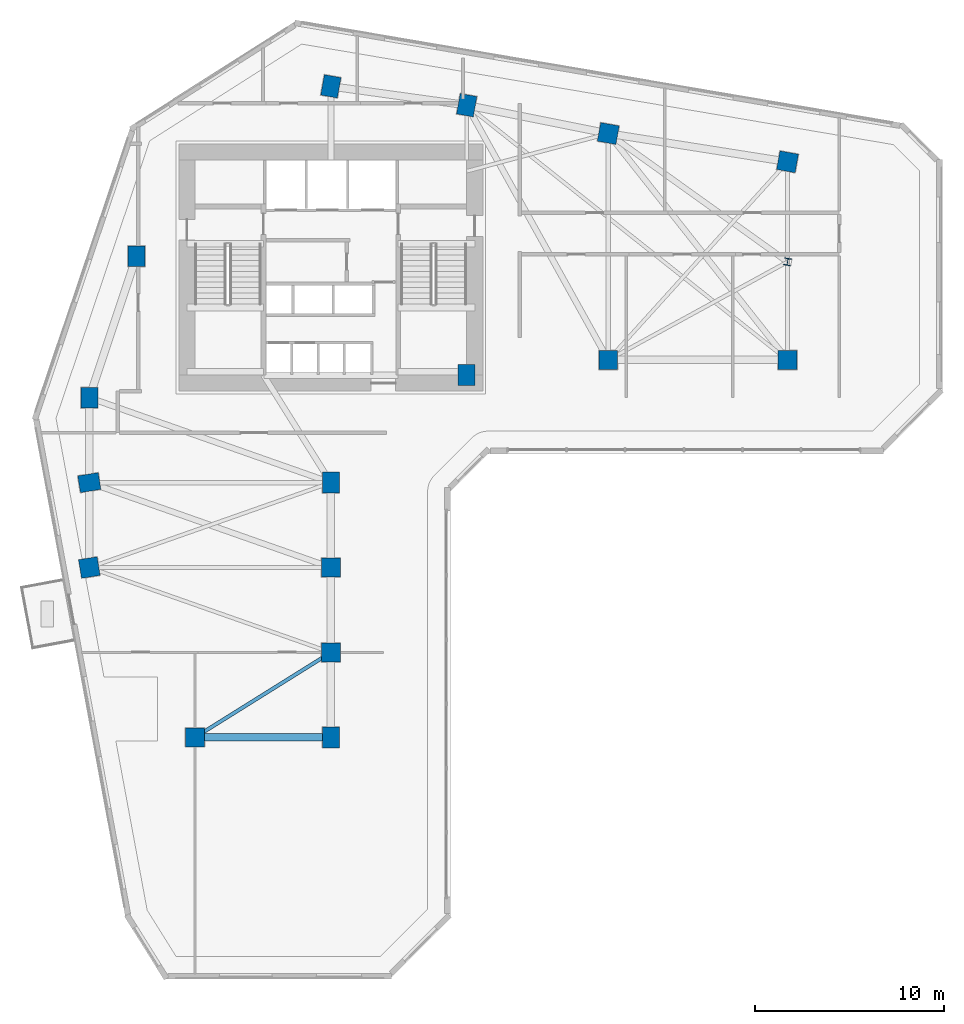
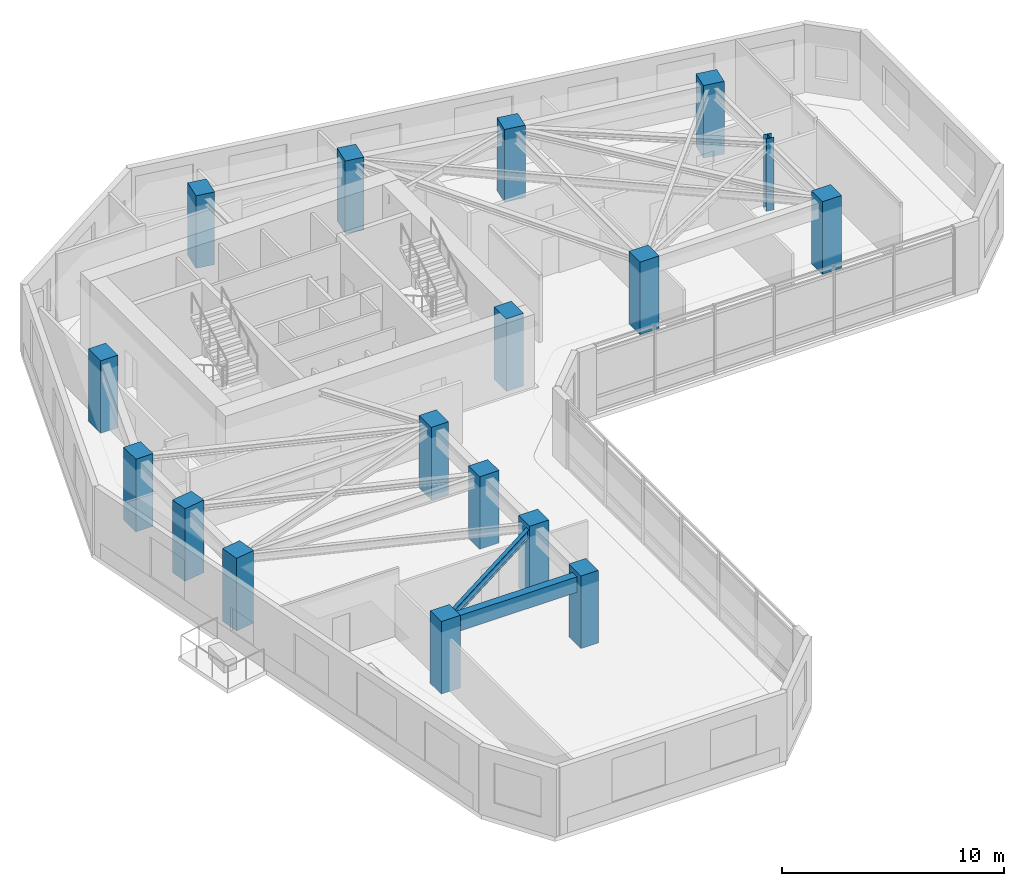
# One storey, part 1 of 9: 17 columns, 2 beams.
"""IFC4 building model written with IfcOpenShell, lengths in metres."""

from ifc_helpers import new_model, si_unit, direction, frame, origin, origin_2d, place, context, subcontext, project, spatial, rectangle, i_section, extrude, source, transform, mapped, material, material_profile, profile_set, type_object, element, save


model = new_model("IFC4")

# Units and contexts
model_context = context("Model", 3, precision=1e-05, world=origin(), true_north=direction((0.0, 1.0)))
body_context = subcontext(model_context, "Body", "Model", "MODEL_VIEW")
ifc_project = project(units=[si_unit("LENGTHUNIT", "METRE"), si_unit("AREAUNIT", "SQUARE_METRE"), si_unit("VOLUMEUNIT", "CUBIC_METRE"), si_unit("PLANEANGLEUNIT", "RADIAN"), si_unit("MASSUNIT", "GRAM", prefix="KILO")], contexts=[model_context])

# Site, building, storey
site_placement = place(None, origin())
site = spatial("IfcSite", under=ifc_project, at=site_placement, CompositionType="ELEMENT")
building_placement = place(site_placement, origin())
building = spatial("IfcBuilding", under=site, at=building_placement, Name="Calvemar Wedge Station Tower", CompositionType="ELEMENT")
storey_placement = place(building_placement, frame((0.0, 0.0, 67.0)))
storey = spatial("IfcBuildingStorey", under=building, at=storey_placement, Name="L16", CompositionType="ELEMENT", Elevation=67.0)

# Columns
ifc_material_1 = material(Name="Concrete C70", Category="concrete")
ifc_material_profile_1 = material_profile(ifc_material_1, rectangle(XDim=0.89990234375, YDim=1.10009765625, at=origin_2d()), Name="RC1100x900")
ifc_profile_set_1 = profile_set([ifc_material_profile_1], Name="Concrete C70")
column_type_1 = type_object("IfcColumnType", Name="COL-C3-1100x900", PredefinedType="COLUMN", material=ifc_profile_set_1)
shared_shape_1 = source(origin(), body_context, "Body", "SweptSolid", [
    extrude(rectangle(XDim=0.89990234375, YDim=1.10009765625, at=origin_2d()), origin(), (0.0, 0.0, 1.0), 4.0),
])
for number, where, z_axis, x_axis, name in (
    (1, (11.0, 33.0, 0.0), (0.0, 0.0, 1.0), (1.0, 0.0, 0.0), "Storey L16 Column T-NW1"),
    (2, (13.5, 40.5, 0.0), (0.0, 0.0, 1.0), (1.0, 0.0, 0.0), "Storey L16 Column T-NW2"),
    (3, (23.800048828125, 49.5, 0.0), (0.0, 0.0, 1.0), (0.984195607969, -0.17708474032, 0.0), "Storey L16 Column T-N1"),
    (4, (31.0, 48.5, 0.0), (0.0, 0.0, 1.0), (0.984195607969, -0.17708474032, 0.0), "Storey L16 Column T-N2"),
    (5, (31.0, 34.199951171875, 0.0), (0.0, 0.0, 1.0), (1.0, 0.0, 0.0), "Storey L16 Column T-NL1"),
    (6, (11.0, 28.5, 0.0), (0.0, 0.0, 1.0), (0.158158067254, -0.987413806751, 0.0), "Storey L16 Column T-SW1"),
    (7, (23.800048828125, 28.5, 0.0), (0.0, 0.0, 1.0), (1.0, 0.0, 0.0), "Storey L16 Column T-SE1"),
    (8, (23.800048828125, 15.0, 0.0), (0.0, 0.0, 1.0), (1.0, 0.0, 0.0), "Storey L16 Column T-SE4"),
):
    element("IfcColumn", number, at=place(storey_placement, frame(where, z_axis=z_axis, x_axis=x_axis)), inside=storey, type_object=column_type_1, Name=name, PredefinedType="COLUMN", context=body_context, shape_type="MappedRepresentation", body=[
        mapped(shared_shape_1, transform((0.0, 0.0, 0.0), scale=1.0)),
    ])
ifc_material_2 = material(Name="Concrete C60", Category="concrete")
ifc_material_profile_2 = material_profile(ifc_material_2, rectangle(XDim=1.0, YDim=1.0, at=origin_2d()), Name="RC1000x1000")
ifc_profile_set_2 = profile_set([ifc_material_profile_2], Name="Concrete C60")
column_type_2 = type_object("IfcColumnType", Name="COL-C4-1000", PredefinedType="COLUMN", material=ifc_profile_set_2)
shared_shape_2 = source(origin(), body_context, "Body", "SweptSolid", [
    extrude(rectangle(XDim=1.0, YDim=1.0, at=origin_2d()), origin(), (0.0, 0.0, 1.0), 4.0),
])
for number, where, z_axis, x_axis, name in (
    (9, (38.5, 47.0, 0.0), (0.0, 0.0, 1.0), (0.984195607969, -0.17708474032, 0.0), "Storey L16 Column T-NU3"),
    (10, (48.0, 45.5, 0.0), (0.0, 0.0, 1.0), (0.984195607969, -0.17708474032, 0.0), "Storey L16 Column T-NU4"),
    (11, (38.5, 35.0, 0.0), (0.0, 0.0, 1.0), (1.0, 0.0, 0.0), "Storey L16 Column T-NL2"),
    (12, (48.0, 35.0, 0.0), (0.0, 0.0, 1.0), (1.0, 0.0, 0.0), "Storey L16 Column T-NL3"),
    (13, (11.0, 24.0, 0.0), (0.0, 0.0, 1.0), (0.158158067254, -0.987413806751, 0.0), "Storey L16 Column T-SW2"),
    (14, (23.800048828125, 24.0, 0.0), (0.0, 0.0, 1.0), (1.0, 0.0, 0.0), "Storey L16 Column T-SE2"),
    (15, (23.800048828125, 19.5, 0.0), (0.0, 0.0, 1.0), (1.0, 0.0, 0.0), "Storey L16 Column T-SE3"),
    (16, (16.60009765625, 15.0, 0.0), (0.0, 0.0, 1.0), (1.0, 0.0, 0.0), "Storey L16 Column T-SM1"),
):
    element("IfcColumn", number, at=place(storey_placement, frame(where, z_axis=z_axis, x_axis=x_axis)), inside=storey, type_object=column_type_2, Name=name, PredefinedType="COLUMN", context=body_context, shape_type="MappedRepresentation", body=[
        mapped(shared_shape_2, transform((0.0, 0.0, 0.0), scale=1.0)),
    ])
ifc_material_3 = material(Name="Structural steel ASTM A572 Grade 50", Category="steel")
ifc_material_profile_3 = material_profile(ifc_material_3, i_section(OverallWidth=0.3740234375, OverallDepth=0.3720703125, WebThickness=0.016357421875, FlangeThickness=0.026123046875, FilletRadius=0.014892578125, at=origin_2d()), Name="W360x196")
ifc_profile_set_3 = profile_set([ifc_material_profile_3], Name="Structural steel ASTM A572 Grade 50")
column_type_3 = type_object("IfcColumnType", Name="COL-STL-W360", PredefinedType="COLUMN", material=ifc_profile_set_3)
shared_shape_3 = source(origin(), body_context, "Body", "SweptSolid", [
    extrude(i_section(OverallWidth=0.3740234375, OverallDepth=0.3720703125, WebThickness=0.016357421875, FlangeThickness=0.026123046875, FilletRadius=0.014892578125, at=origin_2d()), origin(), (0.0, 0.0, 1.0), 4.0),
])
column_placement = place(storey_placement, frame((48.0, 40.199951171875, 0.0), z_axis=(0.0, 0.0, 1.0), x_axis=(0.984195607969, -0.17708474032, 0.0)))
element("IfcColumn", 17, at=column_placement, inside=storey, type_object=column_type_3, Name="Storey L16 Column T-NTIP-A", PredefinedType="COLUMN", context=body_context, shape_type="MappedRepresentation", body=[
    mapped(shared_shape_3, transform((0.0, 0.0, 0.0), scale=1.0)),
])

# Beams
ifc_material_profile_4 = material_profile(ifc_material_2, rectangle(XDim=0.39990234375, YDim=0.85009765625, at=origin_2d()), Name="RC400x850")
ifc_profile_set_4 = profile_set([ifc_material_profile_4], Name="Concrete C60")
beam_type_1 = type_object("IfcBeamType", Name="BM-SP1-850", PredefinedType="SPANDREL", material=ifc_profile_set_4)
shared_shape_4 = source(origin(), body_context, "Body", "SweptSolid", [
    extrude(rectangle(XDim=0.39990234375, YDim=0.85009765625, at=origin_2d()), origin(), (0.0, 0.0, 1.0), 7.199951171875),
])
beam_1_placement = place(storey_placement, frame((16.60009765625, 15.0, 3.324951171875), z_axis=(1.0, 0.0, 0.0), x_axis=(0.0, 1.0, 0.0)))
element("IfcBeam", 18, at=beam_1_placement, inside=storey, type_object=beam_type_1, Name="Storey L16 Spandrel T-SM1-T-SE4", PredefinedType="SPANDREL", context=body_context, shape_type="MappedRepresentation", body=[
    mapped(shared_shape_4, transform((0.0, 0.0, 0.0), scale=1.0)),
])
ifc_material_profile_5 = material_profile(ifc_material_3, i_section(OverallWidth=0.19189453125, OverallDepth=0.462890625, WebThickness=0.010498046875, FlangeThickness=0.017578125, FilletRadius=0.012939453125, at=origin_2d()), Name="W460x89")
ifc_profile_set_5 = profile_set([ifc_material_profile_5], Name="Structural steel ASTM A572 Grade 50")
beam_type_2 = type_object("IfcBeamType", Name="BM-J1-W460", PredefinedType="JOIST", material=ifc_profile_set_5)
shared_shape_5 = source(origin(), body_context, "Body", "SweptSolid", [
    extrude(i_section(OverallWidth=0.19189453125, OverallDepth=0.462890625, WebThickness=0.010498046875, FlangeThickness=0.017578125, FilletRadius=0.012939453125, at=origin_2d()), origin(), (0.0, 0.0, 1.0), 8.490478515625),
])
beam_2_placement = place(storey_placement, frame((23.800048828125, 19.5, 3.5185546875), z_axis=(-0.847996688584, -0.530001524668, 0.0), x_axis=(0.530001524668, -0.847996688584, 0.0)))
element("IfcBeam", 19, at=beam_2_placement, inside=storey, type_object=beam_type_2, Name="Storey L16 Floor Beam T-SE3-T-SM1", PredefinedType="JOIST", context=body_context, shape_type="MappedRepresentation", body=[
    mapped(shared_shape_5, transform((0.0, 0.0, 0.0), scale=1.0)),
])

save(model, "model.ifc")
